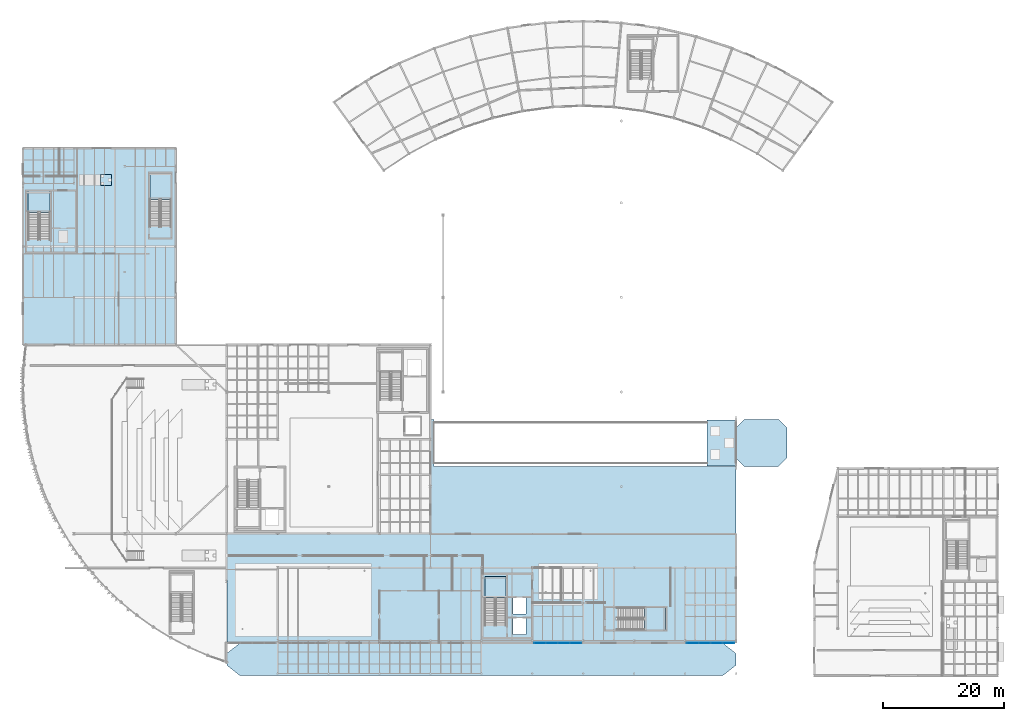
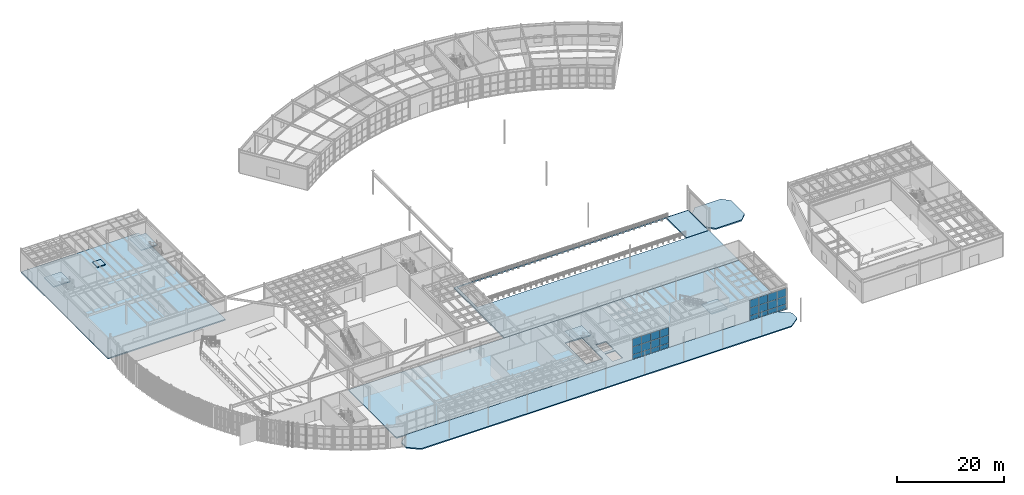
# One storey, part 57 of 87: 24 plates, 11 slabs, 7 elements without a shape of their own.
"""IFC4 building model written with IfcOpenShell, lengths in metres."""

from ifc_helpers import new_model, si_unit, direction, frame, origin, origin_2d, place, context, subcontext, project, spatial, polyline, rectangle, outline, extrude, material, layer, layer_set, type_object, element, aggregate, save


model = new_model("IFC4")

# Units and contexts
model_context = context("Model", 3, precision=1e-05, world=origin(), true_north=direction((0.0, 1.0)))
body_context = subcontext(model_context, "Body", "Model", "MODEL_VIEW")
ifc_project = project(units=[si_unit("LENGTHUNIT", "METRE"), si_unit("AREAUNIT", "SQUARE_METRE"), si_unit("VOLUMEUNIT", "CUBIC_METRE"), si_unit("PLANEANGLEUNIT", "RADIAN"), si_unit("MASSUNIT", "GRAM", prefix="KILO")], contexts=[model_context])

# Site, building, storey
site_placement = place(None, origin())
site = spatial("IfcSite", under=ifc_project, at=site_placement, CompositionType="ELEMENT")
building_placement = place(site_placement, origin())
building = spatial("IfcBuilding", under=site, at=building_placement, Name="Selat Folded Stagehouse", CompositionType="ELEMENT")
storey_placement = place(building_placement, origin())
storey = spatial("IfcBuildingStorey", under=building, at=storey_placement, Name="L00", CompositionType="ELEMENT", Elevation=0.0)

# Curtain wall, plates
ifc_material_1 = material(Name="Aluminium 6063-T6", Category="aluminium")
ifc_layer_1 = layer(ifc_material_1, 0.2099609375)
ifc_layer_set_1 = layer_set([ifc_layer_1], Name="Aluminium 6063-T6")
curtain_wall_type = type_object("IfcCurtainWallType", Name="CW-FYR-SOUTH", PredefinedType="NOTDEFINED", material=ifc_layer_set_1)
curtain_wall_1_placement = place(storey_placement, origin())
curtain_wall_1 = element("IfcCurtainWall", 1, at=curtain_wall_1_placement, inside=storey, type_object=curtain_wall_type, Name="L00 curtain wall CW-FYR-L00-04", PredefinedType="NOTDEFINED")
ifc_material_2 = material(Name="Acoustic laminated double glazing", Category="glass")
ifc_layer_2 = layer(ifc_material_2, 0.035888671875)
ifc_layer_set_2 = layer_set([ifc_layer_2], Name="Acoustic laminated double glazing")
plate_type = type_object("IfcPlateType", Name="CWP-GLZ-DGU36", PredefinedType="CURTAIN_PANEL", material=ifc_layer_set_2)
plate_1_placement = place(storey_placement, frame((91.146240234375, 5.39990234375, 0.06494140625), z_axis=(0.0, 0.0, 1.0), x_axis=(-1.0, 0.0, 0.0)))
plate_1 = element("IfcPlate", 2, at=plate_1_placement, type_object=plate_type, Name="CW-04 panel 1.1", PredefinedType="CURTAIN_PANEL", context=body_context, shape_type="SweptSolid", body=[
    extrude(rectangle(XDim=1.87744140625, YDim=0.035888671875, at=origin_2d()), origin(), (0.0, 0.0, 1.0), 0.952392578125),
])
plate_2_placement = place(storey_placement, frame((91.146240234375, 5.39990234375, 1.08251953125), z_axis=(0.0, 0.0, 1.0), x_axis=(-1.0, 0.0, 0.0)))
plate_2 = element("IfcPlate", 3, at=plate_2_placement, type_object=plate_type, Name="CW-04 panel 1.2", PredefinedType="CURTAIN_PANEL", context=body_context, shape_type="SweptSolid", body=[
    extrude(rectangle(XDim=1.87744140625, YDim=0.035888671875, at=origin_2d()), origin(), (0.0, 0.0, 1.0), 1.735107421875),
])
plate_3_placement = place(storey_placement, frame((91.146240234375, 5.39990234375, 2.882568359375), z_axis=(0.0, 0.0, 1.0), x_axis=(-1.0, 0.0, 0.0)))
plate_3 = element("IfcPlate", 4, at=plate_3_placement, type_object=plate_type, Name="CW-04 panel 1.3", PredefinedType="CURTAIN_PANEL", context=body_context, shape_type="SweptSolid", body=[
    extrude(rectangle(XDim=1.87744140625, YDim=0.035888671875, at=origin_2d()), origin(), (0.0, 0.0, 1.0), 1.7724609375),
])
plate_4_placement = place(storey_placement, frame((89.1875, 5.39990234375, 0.06494140625), z_axis=(0.0, 0.0, 1.0), x_axis=(-1.0, 0.0, 0.0)))
plate_4 = element("IfcPlate", 5, at=plate_4_placement, type_object=plate_type, Name="CW-04 panel 2.1", PredefinedType="CURTAIN_PANEL", context=body_context, shape_type="SweptSolid", body=[
    extrude(rectangle(XDim=1.909912109375, YDim=0.035888671875, at=origin_2d()), origin(), (0.0, 0.0, 1.0), 0.952392578125),
])
plate_5_placement = place(storey_placement, frame((89.1875, 5.39990234375, 1.08251953125), z_axis=(0.0, 0.0, 1.0), x_axis=(-1.0, 0.0, 0.0)))
plate_5 = element("IfcPlate", 6, at=plate_5_placement, type_object=plate_type, Name="CW-04 panel 2.2", PredefinedType="CURTAIN_PANEL", context=body_context, shape_type="SweptSolid", body=[
    extrude(rectangle(XDim=1.909912109375, YDim=0.035888671875, at=origin_2d()), origin(), (0.0, 0.0, 1.0), 1.735107421875),
])
plate_6_placement = place(storey_placement, frame((89.1875, 5.39990234375, 2.882568359375), z_axis=(0.0, 0.0, 1.0), x_axis=(-1.0, 0.0, 0.0)))
plate_6 = element("IfcPlate", 7, at=plate_6_placement, type_object=plate_type, Name="CW-04 panel 2.3", PredefinedType="CURTAIN_PANEL", context=body_context, shape_type="SweptSolid", body=[
    extrude(rectangle(XDim=1.909912109375, YDim=0.035888671875, at=origin_2d()), origin(), (0.0, 0.0, 1.0), 1.7724609375),
])
plate_7_placement = place(storey_placement, frame((87.21240234375, 5.39990234375, 0.06494140625), z_axis=(0.0, 0.0, 1.0), x_axis=(-1.0, 0.0, 0.0)))
plate_7 = element("IfcPlate", 8, at=plate_7_placement, type_object=plate_type, Name="CW-04 panel 3.1", PredefinedType="CURTAIN_PANEL", context=body_context, shape_type="SweptSolid", body=[
    extrude(rectangle(XDim=1.909912109375, YDim=0.035888671875, at=origin_2d()), origin(), (0.0, 0.0, 1.0), 0.952392578125),
])
plate_8_placement = place(storey_placement, frame((87.21240234375, 5.39990234375, 1.08251953125), z_axis=(0.0, 0.0, 1.0), x_axis=(-1.0, 0.0, 0.0)))
plate_8 = element("IfcPlate", 9, at=plate_8_placement, type_object=plate_type, Name="CW-04 panel 3.2", PredefinedType="CURTAIN_PANEL", context=body_context, shape_type="SweptSolid", body=[
    extrude(rectangle(XDim=1.909912109375, YDim=0.035888671875, at=origin_2d()), origin(), (0.0, 0.0, 1.0), 1.735107421875),
])
plate_9_placement = place(storey_placement, frame((87.21240234375, 5.39990234375, 2.882568359375), z_axis=(0.0, 0.0, 1.0), x_axis=(-1.0, 0.0, 0.0)))
plate_9 = element("IfcPlate", 10, at=plate_9_placement, type_object=plate_type, Name="CW-04 panel 3.3", PredefinedType="CURTAIN_PANEL", context=body_context, shape_type="SweptSolid", body=[
    extrude(rectangle(XDim=1.909912109375, YDim=0.035888671875, at=origin_2d()), origin(), (0.0, 0.0, 1.0), 1.7724609375),
])
plate_10_placement = place(storey_placement, frame((85.253662109375, 5.39990234375, 0.06494140625), z_axis=(0.0, 0.0, 1.0), x_axis=(-1.0, 0.0, 0.0)))
plate_10 = element("IfcPlate", 11, at=plate_10_placement, type_object=plate_type, Name="CW-04 panel 4.1", PredefinedType="CURTAIN_PANEL", context=body_context, shape_type="SweptSolid", body=[
    extrude(rectangle(XDim=1.87744140625, YDim=0.035888671875, at=origin_2d()), origin(), (0.0, 0.0, 1.0), 0.952392578125),
])
plate_11_placement = place(storey_placement, frame((85.253662109375, 5.39990234375, 1.08251953125), z_axis=(0.0, 0.0, 1.0), x_axis=(-1.0, 0.0, 0.0)))
plate_11 = element("IfcPlate", 12, at=plate_11_placement, type_object=plate_type, Name="CW-04 panel 4.2", PredefinedType="CURTAIN_PANEL", context=body_context, shape_type="SweptSolid", body=[
    extrude(rectangle(XDim=1.87744140625, YDim=0.035888671875, at=origin_2d()), origin(), (0.0, 0.0, 1.0), 1.735107421875),
])
plate_12_placement = place(storey_placement, frame((85.253662109375, 5.39990234375, 2.882568359375), z_axis=(0.0, 0.0, 1.0), x_axis=(-1.0, 0.0, 0.0)))
plate_12 = element("IfcPlate", 13, at=plate_12_placement, type_object=plate_type, Name="CW-04 panel 4.3", PredefinedType="CURTAIN_PANEL", context=body_context, shape_type="SweptSolid", body=[
    extrude(rectangle(XDim=1.87744140625, YDim=0.035888671875, at=origin_2d()), origin(), (0.0, 0.0, 1.0), 1.7724609375),
])
aggregate(curtain_wall_1, [plate_1, plate_2, plate_3, plate_4, plate_5, plate_6, plate_7, plate_8, plate_9, plate_10, plate_11, plate_12])

curtain_wall_2_placement = place(storey_placement, origin())
curtain_wall_2 = element("IfcCurtainWall", 14, at=curtain_wall_2_placement, inside=storey, type_object=curtain_wall_type, Name="L00 curtain wall CW-FYR-L00-06", PredefinedType="NOTDEFINED")
plate_13_placement = place(storey_placement, frame((116.34619140625, 5.39990234375, 0.06494140625), z_axis=(0.0, 0.0, 1.0), x_axis=(-1.0, 0.0, 0.0)))
plate_13 = element("IfcPlate", 15, at=plate_13_placement, type_object=plate_type, Name="CW-04 panel 1.1", PredefinedType="CURTAIN_PANEL", context=body_context, shape_type="SweptSolid", body=[
    extrude(rectangle(XDim=1.87744140625, YDim=0.035888671875, at=origin_2d()), origin(), (0.0, 0.0, 1.0), 0.952392578125),
])
plate_14_placement = place(storey_placement, frame((116.34619140625, 5.39990234375, 1.08251953125), z_axis=(0.0, 0.0, 1.0), x_axis=(-1.0, 0.0, 0.0)))
plate_14 = element("IfcPlate", 16, at=plate_14_placement, type_object=plate_type, Name="CW-04 panel 1.2", PredefinedType="CURTAIN_PANEL", context=body_context, shape_type="SweptSolid", body=[
    extrude(rectangle(XDim=1.87744140625, YDim=0.035888671875, at=origin_2d()), origin(), (0.0, 0.0, 1.0), 1.735107421875),
])
plate_15_placement = place(storey_placement, frame((116.34619140625, 5.39990234375, 2.882568359375), z_axis=(0.0, 0.0, 1.0), x_axis=(-1.0, 0.0, 0.0)))
plate_15 = element("IfcPlate", 17, at=plate_15_placement, type_object=plate_type, Name="CW-04 panel 1.3", PredefinedType="CURTAIN_PANEL", context=body_context, shape_type="SweptSolid", body=[
    extrude(rectangle(XDim=1.87744140625, YDim=0.035888671875, at=origin_2d()), origin(), (0.0, 0.0, 1.0), 1.7724609375),
])
plate_16_placement = place(storey_placement, frame((114.387451171875, 5.39990234375, 0.06494140625), z_axis=(0.0, 0.0, 1.0), x_axis=(-1.0, 0.0, 0.0)))
plate_16 = element("IfcPlate", 18, at=plate_16_placement, type_object=plate_type, Name="CW-04 panel 2.1", PredefinedType="CURTAIN_PANEL", context=body_context, shape_type="SweptSolid", body=[
    extrude(rectangle(XDim=1.909912109375, YDim=0.035888671875, at=origin_2d()), origin(), (0.0, 0.0, 1.0), 0.952392578125),
])
plate_17_placement = place(storey_placement, frame((114.387451171875, 5.39990234375, 1.08251953125), z_axis=(0.0, 0.0, 1.0), x_axis=(-1.0, 0.0, 0.0)))
plate_17 = element("IfcPlate", 19, at=plate_17_placement, type_object=plate_type, Name="CW-04 panel 2.2", PredefinedType="CURTAIN_PANEL", context=body_context, shape_type="SweptSolid", body=[
    extrude(rectangle(XDim=1.909912109375, YDim=0.035888671875, at=origin_2d()), origin(), (0.0, 0.0, 1.0), 1.735107421875),
])
plate_18_placement = place(storey_placement, frame((114.387451171875, 5.39990234375, 2.882568359375), z_axis=(0.0, 0.0, 1.0), x_axis=(-1.0, 0.0, 0.0)))
plate_18 = element("IfcPlate", 20, at=plate_18_placement, type_object=plate_type, Name="CW-04 panel 2.3", PredefinedType="CURTAIN_PANEL", context=body_context, shape_type="SweptSolid", body=[
    extrude(rectangle(XDim=1.909912109375, YDim=0.035888671875, at=origin_2d()), origin(), (0.0, 0.0, 1.0), 1.7724609375),
])
plate_19_placement = place(storey_placement, frame((112.41259765625, 5.39990234375, 0.06494140625), z_axis=(0.0, 0.0, 1.0), x_axis=(-1.0, 0.0, 0.0)))
plate_19 = element("IfcPlate", 21, at=plate_19_placement, type_object=plate_type, Name="CW-04 panel 3.1", PredefinedType="CURTAIN_PANEL", context=body_context, shape_type="SweptSolid", body=[
    extrude(rectangle(XDim=1.909912109375, YDim=0.035888671875, at=origin_2d()), origin(), (0.0, 0.0, 1.0), 0.952392578125),
])
plate_20_placement = place(storey_placement, frame((112.41259765625, 5.39990234375, 1.08251953125), z_axis=(0.0, 0.0, 1.0), x_axis=(-1.0, 0.0, 0.0)))
plate_20 = element("IfcPlate", 22, at=plate_20_placement, type_object=plate_type, Name="CW-04 panel 3.2", PredefinedType="CURTAIN_PANEL", context=body_context, shape_type="SweptSolid", body=[
    extrude(rectangle(XDim=1.909912109375, YDim=0.035888671875, at=origin_2d()), origin(), (0.0, 0.0, 1.0), 1.735107421875),
])
plate_21_placement = place(storey_placement, frame((112.41259765625, 5.39990234375, 2.882568359375), z_axis=(0.0, 0.0, 1.0), x_axis=(-1.0, 0.0, 0.0)))
plate_21 = element("IfcPlate", 23, at=plate_21_placement, type_object=plate_type, Name="CW-04 panel 3.3", PredefinedType="CURTAIN_PANEL", context=body_context, shape_type="SweptSolid", body=[
    extrude(rectangle(XDim=1.909912109375, YDim=0.035888671875, at=origin_2d()), origin(), (0.0, 0.0, 1.0), 1.7724609375),
])
plate_22_placement = place(storey_placement, frame((110.453857421875, 5.39990234375, 0.06494140625), z_axis=(0.0, 0.0, 1.0), x_axis=(-1.0, 0.0, 0.0)))
plate_22 = element("IfcPlate", 24, at=plate_22_placement, type_object=plate_type, Name="CW-04 panel 4.1", PredefinedType="CURTAIN_PANEL", context=body_context, shape_type="SweptSolid", body=[
    extrude(rectangle(XDim=1.87744140625, YDim=0.035888671875, at=origin_2d()), origin(), (0.0, 0.0, 1.0), 0.952392578125),
])
plate_23_placement = place(storey_placement, frame((110.453857421875, 5.39990234375, 1.08251953125), z_axis=(0.0, 0.0, 1.0), x_axis=(-1.0, 0.0, 0.0)))
plate_23 = element("IfcPlate", 25, at=plate_23_placement, type_object=plate_type, Name="CW-04 panel 4.2", PredefinedType="CURTAIN_PANEL", context=body_context, shape_type="SweptSolid", body=[
    extrude(rectangle(XDim=1.87744140625, YDim=0.035888671875, at=origin_2d()), origin(), (0.0, 0.0, 1.0), 1.735107421875),
])
plate_24_placement = place(storey_placement, frame((110.453857421875, 5.39990234375, 2.882568359375), z_axis=(0.0, 0.0, 1.0), x_axis=(-1.0, 0.0, 0.0)))
plate_24 = element("IfcPlate", 26, at=plate_24_placement, type_object=plate_type, Name="CW-04 panel 4.3", PredefinedType="CURTAIN_PANEL", context=body_context, shape_type="SweptSolid", body=[
    extrude(rectangle(XDim=1.87744140625, YDim=0.035888671875, at=origin_2d()), origin(), (0.0, 0.0, 1.0), 1.7724609375),
])
aggregate(curtain_wall_2, [plate_13, plate_14, plate_15, plate_16, plate_17, plate_18, plate_19, plate_20, plate_21, plate_22, plate_23, plate_24])

# Slabs
ifc_material_3 = material(Name="Concrete C40/50", Category="concrete")
ifc_layer_3 = layer(ifc_material_3, 0.294921875)
ifc_layer_set_3 = layer_set([ifc_layer_3], Name="Concrete C40/50")
slab_type_1 = type_object("IfcSlabType", Name="SLAB-APRON-300", PredefinedType="FLOOR", material=ifc_layer_set_3)
slab_1_placement = place(storey_placement, frame((0.0, 0.0, -0.294921875)))
element("IfcSlab", 27, at=slab_1_placement, inside=storey, type_object=slab_type_1, Name="L00 V3 floor slab SL-L00-APRON", PredefinedType="FLOOR", context=body_context, shape_type="SweptSolid", body=[
    extrude(outline(polyline([(119.0, 34.5), (124.60009765625, 34.5), (126.0, 35.89990234375), (126.0, 40.89990234375), (124.60009765625, 42.300048828125), (119.0, 42.300048828125), (117.60009765625, 40.89990234375), (117.60009765625, 35.89990234375), (119.0, 34.5)])), origin(), (0.0, 0.0, 1.0), 0.294921875),
])
ifc_layer_4 = layer(ifc_material_3, 0.300048828125)
ifc_layer_set_4 = layer_set([ifc_layer_4], Name="Concrete C40/50")
slab_type_2 = type_object("IfcSlabType", Name="SLAB-COURT-300", PredefinedType="FLOOR", material=ifc_layer_set_4)
slab_2_placement = place(storey_placement, frame((0.0, 0.0, -0.300048828125)))
element("IfcSlab", 28, at=slab_2_placement, inside=storey, type_object=slab_type_2, Name="L00 V5 floor slab SL-L00-CARPARK-LID", PredefinedType="FLOOR", context=body_context, shape_type="SweptSolid", body=[
    extrude(outline(polyline([(67.199951171875, 23.39990234375), (117.60009765625, 23.39990234375), (117.60009765625, 42.300048828125), (67.199951171875, 42.300048828125), (67.199951171875, 23.39990234375)]), holes=[polyline([(67.800048828125, 42.25), (117.550048828125, 42.25), (117.550048828125, 34.550048828125), (67.800048828125, 34.550048828125), (67.800048828125, 42.25)])]), origin(), (0.0, 0.0, 1.0), 0.300048828125),
])
ifc_layer_5 = layer(ifc_material_3, 0.239990234375)
ifc_layer_set_5 = layer_set([ifc_layer_5], Name="Concrete C40/50")
slab_type_3 = type_object("IfcSlabType", Name="SLAB-EXT-240", PredefinedType="FLOOR", material=ifc_layer_set_5)
slab_3_placement = place(storey_placement, frame((0.0, 0.0, -0.239990234375)))
element("IfcSlab", 29, at=slab_3_placement, inside=storey, type_object=slab_type_3, Name="L00 V5 floor slab SL-L00-COLONNADE", PredefinedType="FLOOR", context=body_context, shape_type="SweptSolid", body=[
    extrude(outline(polyline([(35.800048828125, 0.0), (115.39990234375, 0.0), (117.60009765625, 1.72802734375), (117.60009765625, 3.672119140625), (115.39990234375, 5.39990234375), (35.800048828125, 5.39990234375), (33.60009765625, 3.672119140625), (33.60009765625, 1.72802734375), (35.800048828125, 0.0)])), origin(), (0.0, 0.0, 1.0), 0.239990234375),
])
ifc_layer_6 = layer(ifc_material_3, 0.25)
ifc_layer_set_6 = layer_set([ifc_layer_6], Name="Concrete C40/50")
slab_type_4 = type_object("IfcSlabType", Name="SLAB-FLR-250", PredefinedType="FLOOR", material=ifc_layer_set_6)
slab_4_placement = place(storey_placement, frame((0.0, 0.0, -0.25)))
element("IfcSlab", 30, at=slab_4_placement, inside=storey, type_object=slab_type_4, Name="L00 V5 floor slab SL-L00-V5", PredefinedType="FLOOR", context=body_context, shape_type="SweptSolid", body=[
    extrude(outline(polyline([(33.60009765625, 5.39990234375), (117.60009765625, 5.39990234375), (117.60009765625, 23.39990234375), (33.60009765625, 23.39990234375), (33.60009765625, 5.39990234375)]), holes=[polyline([(83.0, 6.800048828125), (80.800048828125, 6.800048828125), (80.800048828125, 9.60009765625), (83.0, 9.60009765625), (83.0, 6.800048828125)]), polyline([(80.800048828125, 10.199951171875), (80.800048828125, 13.0), (83.0, 13.0), (83.0, 10.199951171875), (80.800048828125, 10.199951171875)]), polyline([(76.159912109375, 8.389892578125), (76.159912109375, 16.35009765625), (79.679931640625, 16.35009765625), (79.679931640625, 8.389892578125), (76.159912109375, 8.389892578125)])]), origin(), (0.0, 0.0, 1.0), 0.25),
])
ifc_layer_7 = layer(ifc_material_3, 0.260009765625)
ifc_layer_set_7 = layer_set([ifc_layer_7], Name="Concrete C40/50")
slab_type_5 = type_object("IfcSlabType", Name="SLAB-FLR-260-WKSHP", PredefinedType="FLOOR", material=ifc_layer_set_7)
slab_5_placement = place(storey_placement, frame((0.0, 0.0, -0.260009765625)))
element("IfcSlab", 31, at=slab_5_placement, inside=storey, type_object=slab_type_5, Name="L00 V4 floor slab SL-L00-V4", PredefinedType="FLOOR", context=body_context, shape_type="SweptSolid", body=[
    extrude(outline(polyline([(0.0, 54.60009765625), (25.199951171875, 54.60009765625), (25.199951171875, 87.0), (0.0, 87.0), (0.0, 54.60009765625)])), origin(), (0.0, 0.0, 1.0), 0.260009765625),
])

# Ramp, slab
ramp_type = type_object("IfcRampType", Name="RMP-ACC-1800", PredefinedType="STRAIGHT_RUN_RAMP", material=ifc_material_3)
ramp_placement = place(storey_placement, origin())
ramp = element("IfcRamp", 32, at=ramp_placement, inside=storey, type_object=ramp_type, Name="Black-Box Workshop Threshold Ramp", PredefinedType="STRAIGHT_RUN_RAMP")
ifc_layer_8 = layer(ifc_material_3, 0.215087890625)
ifc_layer_set_8 = layer_set([ifc_layer_8], Name="Concrete C40/50")
slab_type_6 = type_object("IfcSlabType", Name="SLAB-RMP-LDG-215", PredefinedType="LANDING", material=ifc_layer_set_8)
slab_6_placement = place(storey_placement, frame((0.0, 0.0, 0.06494140625)))
slab_6 = element("IfcSlab", 33, at=slab_6_placement, type_object=slab_type_6, Name="Black-Box Workshop Threshold Ramp landing 1", PredefinedType="LANDING", context=body_context, shape_type="SweptSolid", body=[
    extrude(outline(polyline([(12.800048828125, 80.89990234375), (14.60009765625, 80.89990234375), (14.60009765625, 82.699951171875), (12.800048828125, 82.699951171875), (12.800048828125, 80.89990234375)])), origin(), (0.0, 0.0, 1.0), 0.215087890625),
])
aggregate(ramp, [slab_6])

# Stair, slab
stair_type_1 = type_object("IfcStairType", Name="STR-DOG-1680-34R", PredefinedType="HALF_TURN_STAIR", material=ifc_material_3)
stair_1_placement = place(storey_placement, origin())
stair_1 = element("IfcStair", 34, at=stair_1_placement, inside=storey, type_object=stair_type_1, Name="L00 Core 3 Foyer South Core", PredefinedType="HALF_TURN_STAIR")
ifc_layer_9 = layer(ifc_material_3, 0.199951171875)
ifc_layer_set_9 = layer_set([ifc_layer_9], Name="Concrete C40/50")
slab_type_7 = type_object("IfcSlabType", Name="SLAB-STR-LDG-200", PredefinedType="LANDING", material=ifc_layer_set_9)
slab_7_placement = place(storey_placement, frame((0.0, 0.0, 2.5)))
slab_7 = element("IfcSlab", 35, at=slab_7_placement, type_object=slab_type_7, Name="ST-1680-34R landing 1", PredefinedType="LANDING", context=body_context, shape_type="SweptSolid", body=[
    extrude(outline(polyline([(79.679931640625, 12.7900390625), (79.679931640625, 16.35009765625), (76.159912109375, 16.35009765625), (76.159912109375, 12.7900390625), (79.679931640625, 12.7900390625)])), origin(), (0.0, 0.0, 1.0), 0.199951171875),
])
aggregate(stair_1, [slab_7])

stair_type_2 = type_object("IfcStairType", Name="STR-DOG-1720-34R", PredefinedType="HALF_TURN_STAIR", material=ifc_material_3)
stair_2_placement = place(storey_placement, origin())
stair_2 = element("IfcStair", 36, at=stair_2_placement, inside=storey, type_object=stair_type_2, Name="L00 Core 5 Black-Box West Core", PredefinedType="HALF_TURN_STAIR")
slab_8_placement = place(storey_placement, frame((0.0, 0.0, 2.5)))
slab_8 = element("IfcSlab", 37, at=slab_8_placement, type_object=slab_type_7, Name="ST-1720-34R landing 1", PredefinedType="LANDING", context=body_context, shape_type="SweptSolid", body=[
    extrude(outline(polyline([(4.449951171875, 76.39990234375), (4.449951171875, 79.919921875), (0.85009765625, 79.919921875), (0.85009765625, 76.39990234375), (4.449951171875, 76.39990234375)])), origin(), (0.0, 0.0, 1.0), 0.199951171875),
])
aggregate(stair_2, [slab_8])

stair_3_placement = place(storey_placement, origin())
stair_3 = element("IfcStair", 38, at=stair_3_placement, inside=storey, type_object=stair_type_1, Name="L00 Backstage Technical Stair ST-07", PredefinedType="HALF_TURN_STAIR")
slab_9_placement = place(storey_placement, frame((0.0, 0.0, 2.5)))
slab_9 = element("IfcSlab", 39, at=slab_9_placement, type_object=slab_type_7, Name="ST-1680-34R landing 1", PredefinedType="LANDING", context=body_context, shape_type="SweptSolid", body=[
    extrude(outline(polyline([(24.419921875, 78.5400390625), (24.419921875, 82.949951171875), (20.89990234375, 82.949951171875), (20.89990234375, 78.5400390625), (24.419921875, 78.5400390625)])), origin(), (0.0, 0.0, 1.0), 0.199951171875),
])
aggregate(stair_3, [slab_9])

stair_type_3 = type_object("IfcStairType", Name="STR-DOG-1760-34R", PredefinedType="HALF_TURN_STAIR", material=ifc_material_3)
stair_4_placement = place(storey_placement, origin())
stair_4 = element("IfcStair", 40, at=stair_4_placement, inside=storey, type_object=stair_type_3, Name="L00 Grand Foyer Enclosed Stair ST-08", PredefinedType="HALF_TURN_STAIR")
slab_10_placement = place(storey_placement, frame((0.0, 0.0, 2.5)))
slab_10 = element("IfcSlab", 41, at=slab_10_placement, type_object=slab_type_7, Name="ST-1760-34R landing 1", PredefinedType="LANDING", context=body_context, shape_type="SweptSolid", body=[
    extrude(outline(polyline([(102.5, 7.56005859375), (105.97998046875, 7.56005859375), (105.97998046875, 11.239990234375), (102.5, 11.239990234375), (102.5, 7.56005859375)])), origin(), (0.0, 0.0, 1.0), 0.199951171875),
])
aggregate(stair_4, [slab_10])

# Slab
ifc_layer_10 = layer(ifc_material_3, 0.304931640625)
ifc_layer_set_10 = layer_set([ifc_layer_10], Name="Concrete C40/50")
slab_type_8 = type_object("IfcSlabType", Name="SLAB-VRM-APRON-305", PredefinedType="FLOOR", material=ifc_layer_set_10)
slab_11_placement = place(storey_placement, frame((0.0, 0.0, -0.304931640625)))
element("IfcSlab", 42, at=slab_11_placement, inside=storey, type_object=slab_type_8, Name="Ground Car Park Vehicle Ramp Top Transition Apron VRM-01", PredefinedType="FLOOR", context=body_context, shape_type="SweptSolid", body=[
    extrude(outline(polyline([(112.800048828125, 34.60009765625), (117.5, 34.60009765625), (117.5, 42.199951171875), (112.800048828125, 42.199951171875), (112.800048828125, 34.60009765625)])), origin(), (0.0, 0.0, 1.0), 0.304931640625),
])

save(model, "model.ifc")
